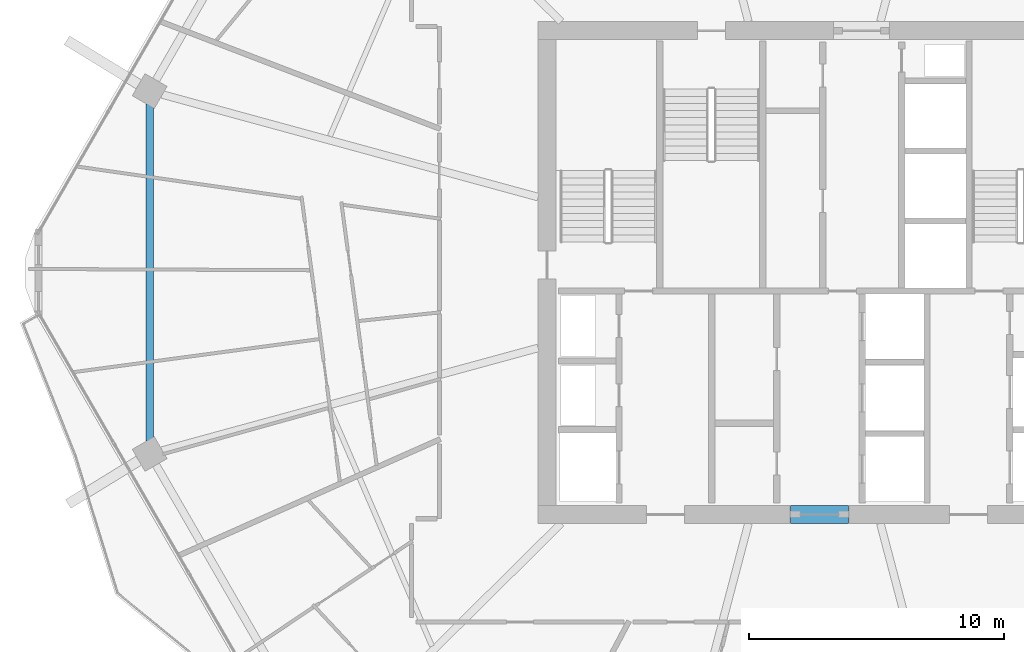
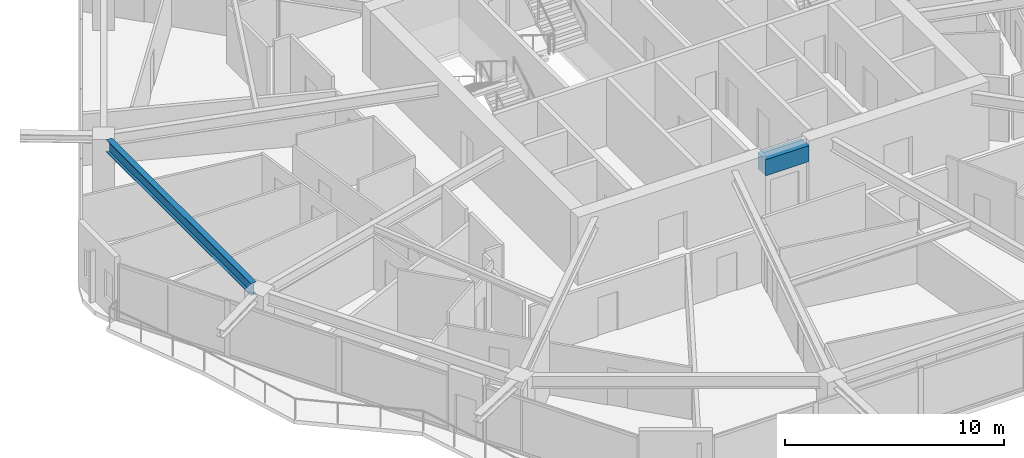
# One storey, part 6 of 25: 2 beams.
"""IFC4 building model written with IfcOpenShell, lengths in metres."""

from ifc_helpers import new_model, si_unit, direction, frame, origin, origin_2d, place, context, subcontext, project, spatial, rectangle, i_section, extrude, material, material_profile, profile_set, type_object, element, save


model = new_model("IFC4")

# Units and contexts
model_context = context("Model", 3, precision=1e-05, world=origin(), true_north=direction((0.0, 1.0)))
body_context = subcontext(model_context, "Body", "Model", "MODEL_VIEW")
ifc_project = project(units=[si_unit("LENGTHUNIT", "METRE"), si_unit("AREAUNIT", "SQUARE_METRE"), si_unit("VOLUMEUNIT", "CUBIC_METRE"), si_unit("PLANEANGLEUNIT", "RADIAN"), si_unit("MASSUNIT", "GRAM", prefix="KILO")], contexts=[model_context])

# Site, building, storey
site_placement = place(None, origin())
site = spatial("IfcSite", under=ifc_project, at=site_placement, CompositionType="ELEMENT")
building_placement = place(site_placement, origin())
building = spatial("IfcBuilding", under=site, at=building_placement, Name="Zuhravey Tower", CompositionType="ELEMENT")
storey_placement = place(building_placement, frame((0.0, 0.0, 180.800048828125)))
storey = spatial("IfcBuildingStorey", under=building, at=storey_placement, Name="L45", CompositionType="ELEMENT", Elevation=180.800048828125)

# Beams
ifc_material_1 = material(Name="Concrete C60/75", Category="concrete")
ifc_material_profile_1 = material_profile(ifc_material_1, rectangle(XDim=0.699951171875, YDim=0.89990234375, at=origin_2d()), Name="RC-700x900")
ifc_profile_set_1 = profile_set([ifc_material_profile_1], Name="Concrete C60/75")
beam_type_1 = type_object("IfcBeamType", Name="Core Coupling Beam RC700x900", PredefinedType="LINTEL", material=ifc_profile_set_1)
beam_1_placement = place(storey_placement, frame((35.052001953125, 22.5, 3.099853515625), z_axis=(1.0, 0.0, 0.0), x_axis=(0.0, 1.0, 0.0)))
element("IfcBeam", 1, at=beam_1_placement, inside=storey, type_object=beam_type_1, Name="L45 CB1 BM-L45-CB-S", PredefinedType="LINTEL", context=body_context, shape_type="SweptSolid", body=[
    extrude(rectangle(XDim=0.699951171875, YDim=0.89990234375, at=origin_2d()), origin(), (0.0, 0.0, 1.0), 2.2958984375),
])
ifc_material_2 = material(Name="Steel SM355", Category="steel")
ifc_material_profile_2 = material_profile(ifc_material_2, i_section(OverallWidth=0.300048828125, OverallDepth=0.679931640625, WebThickness=0.012939453125, FlangeThickness=0.02197265625, at=origin_2d()), Name="H-680x300x13x22")
ifc_profile_set_2 = profile_set([ifc_material_profile_2], Name="Steel SM355")
beam_type_2 = type_object("IfcBeamType", Name="Perimeter Ring Beam H680x300", PredefinedType="BEAM", material=ifc_profile_set_2)
beam_2_placement = place(storey_placement, frame((9.892333984375, 38.62353515625, 3.2099609375), z_axis=(0.0, -1.0, 0.0), x_axis=(1.0, 0.0, 0.0)))
element("IfcBeam", 2, at=beam_2_placement, inside=storey, type_object=beam_type_2, Name="L45 PB2 BM-L45-PB-06", PredefinedType="BEAM", context=body_context, shape_type="SweptSolid", body=[
    extrude(i_section(OverallWidth=0.300048828125, OverallDepth=0.679931640625, WebThickness=0.012939453125, FlangeThickness=0.02197265625, at=origin_2d()), origin(), (0.0, 0.0, 1.0), 13.2470703125),
])

save(model, "model.ifc")
